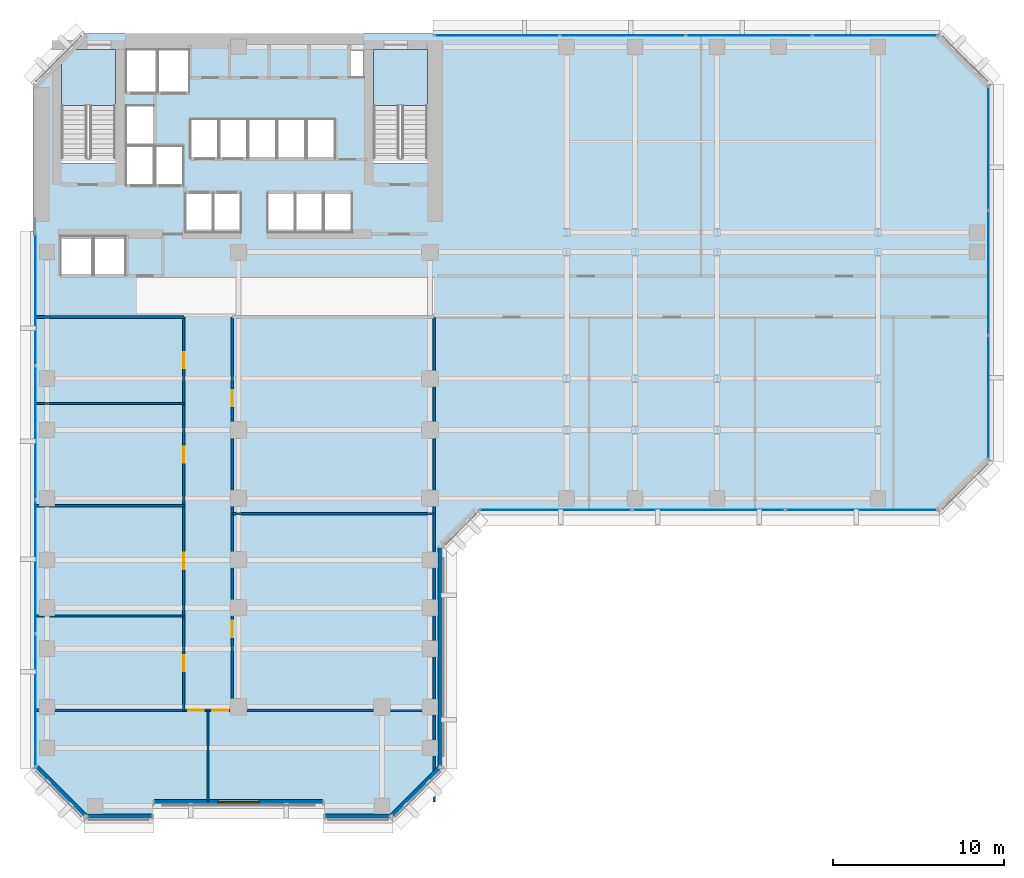
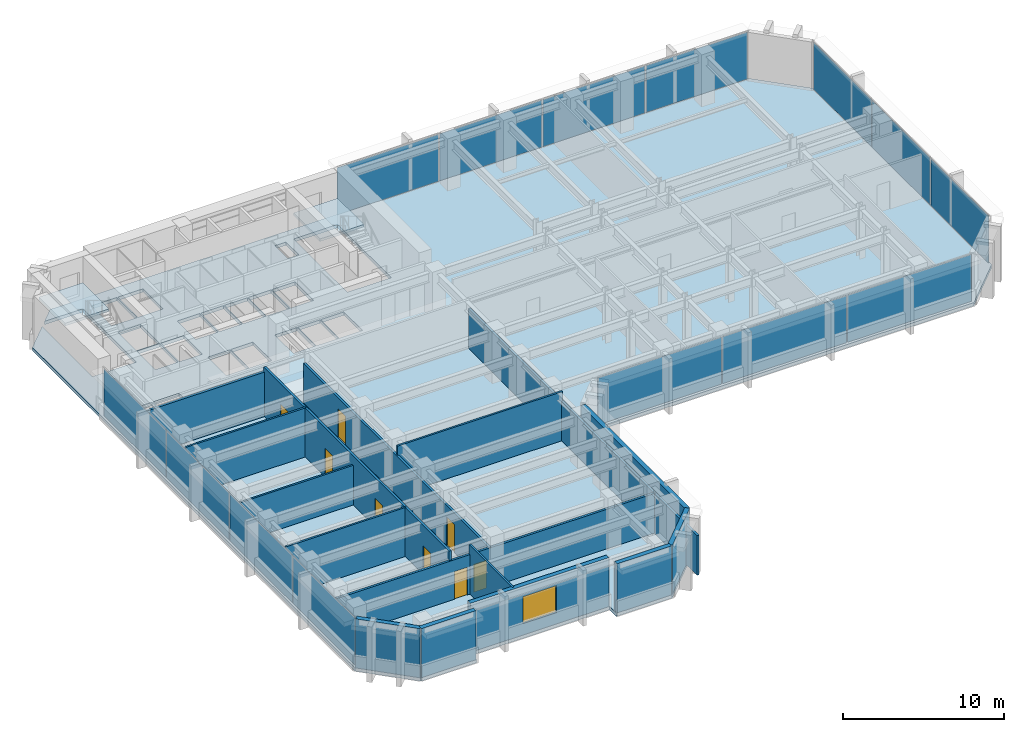
# One storey, part 6 of 13: 16 walls, 14 plates, 8 doors, 3 slabs, 1 window, 9 openings, 6 elements without a shape of their own.
"""IFC4 building model written with IfcOpenShell, lengths in metres."""

from ifc_helpers import new_model, si_unit, direction, frame, frame_2d, origin, origin_2d, place, context, subcontext, project, spatial, polyline, rectangle, outline, extrude, material, layer, layer_set, type_object, element, fill, aggregate, save


model = new_model("IFC4")

# Units and contexts
model_context = context("Model", 3, precision=1e-05, world=origin(), true_north=direction((0.0, 1.0)))
body_context = subcontext(model_context, "Body", "Model", "MODEL_VIEW")
ifc_project = project(units=[si_unit("LENGTHUNIT", "METRE"), si_unit("AREAUNIT", "SQUARE_METRE"), si_unit("VOLUMEUNIT", "CUBIC_METRE"), si_unit("PLANEANGLEUNIT", "RADIAN"), si_unit("MASSUNIT", "GRAM", prefix="KILO")], contexts=[model_context])

# Site, building, storey
site_placement = place(None, origin())
site = spatial("IfcSite", under=ifc_project, at=site_placement, CompositionType="ELEMENT")
building_placement = place(site_placement, origin())
building = spatial("IfcBuilding", under=site, at=building_placement, Name="Kefirva Bronze Tower", CompositionType="ELEMENT")
storey_placement = place(building_placement, frame((0.0, 0.0, 102.6298828125)))
storey = spatial("IfcBuildingStorey", under=building, at=storey_placement, Name="L24", CompositionType="ELEMENT", Elevation=102.6298828125)

# Stair, slab
ifc_material_1 = material(Name="Concrete C40/50", Category="concrete")
stair_type = type_object("IfcStairType", Name="RC Dogleg Protected Stair 24R", PredefinedType="HALF_TURN_STAIR", material=ifc_material_1)
stair_1_placement = place(storey_placement, origin())
stair_1 = element("IfcStair", 1, at=stair_1_placement, inside=storey, type_object=stair_type, Name="L24 Protected Exit Stair 1", PredefinedType="HALF_TURN_STAIR")
ifc_layer_1 = layer(ifc_material_1, 0.199951171875, Name="Concrete C40/50")
ifc_layer_set_1 = layer_set([ifc_layer_1], Name="Concrete C40/50")
slab_type_1 = type_object("IfcSlabType", Name="RC Stair Landing Slab 200mm", PredefinedType="LANDING", material=ifc_layer_set_1)
slab_1_placement = place(storey_placement, frame((0.0, 0.0, 1.780029296875)))
slab_1 = element("IfcSlab", 2, at=slab_1_placement, type_object=slab_type_1, Name="ST-1 landing 1", PredefinedType="LANDING", context=body_context, shape_type="SweptSolid", body=[
    extrude(outline(polyline([(4.800048828125, 41.780029296875), (4.800048828125, 45.050048828125), (1.64990234375, 45.050048828125), (1.64990234375, 41.780029296875), (4.800048828125, 41.780029296875)])), origin(), (0.0, 0.0, 1.0), 0.2001953125),
])
aggregate(stair_1, [slab_1])

stair_2_placement = place(storey_placement, origin())
stair_2 = element("IfcStair", 3, at=stair_2_placement, inside=storey, type_object=stair_type, Name="L24 Protected Exit Stair 2", PredefinedType="HALF_TURN_STAIR")
slab_2_placement = place(storey_placement, frame((0.0, 0.0, 1.780029296875)))
slab_2 = element("IfcSlab", 4, at=slab_2_placement, type_object=slab_type_1, Name="ST-2 landing 1", PredefinedType="LANDING", context=body_context, shape_type="SweptSolid", body=[
    extrude(outline(polyline([(23.050048828125, 41.780029296875), (23.050048828125, 45.050048828125), (19.89990234375, 45.050048828125), (19.89990234375, 41.780029296875), (23.050048828125, 41.780029296875)])), origin(), (0.0, 0.0, 1.0), 0.2001953125),
])
aggregate(stair_2, [slab_2])

# Slab
ifc_layer_2 = layer(ifc_material_1, 0.25, Name="Concrete C40/50")
ifc_layer_set_2 = layer_set([ifc_layer_2], Name="Concrete C40/50")
slab_type_2 = type_object("IfcSlabType", Name="RC Tower Floor Slab 250mm", PredefinedType="FLOOR", material=ifc_layer_set_2)
slab_3_placement = place(storey_placement, frame((0.0, 0.0, -0.25)))
element("IfcSlab", 5, at=slab_3_placement, inside=storey, type_object=slab_type_2, Name="L24 Structural Floor Slab", PredefinedType="FLOOR", context=body_context, shape_type="SweptSolid", body=[
    extrude(outline(polyline([(0.0, 3.0), (0.0, 43.0), (1.64990234375, 44.64990234375), (1.64990234375, 38.39990234375), (4.800048828125, 38.39990234375), (4.800048828125, 45.050048828125), (2.050048828125, 45.050048828125), (3.0, 46.0), (53.0, 46.0), (56.0, 43.0), (56.0, 21.0), (53.0, 18.0), (26.0, 18.0), (24.0, 16.0), (24.0, 3.0), (21.0, 0.0), (17.0, 0.0), (17.0, 0.85009765625), (7.0, 0.85009765625), (7.0, 0.0), (3.0, 0.0), (0.0, 3.0)]), holes=[polyline([(19.89990234375, 38.39990234375), (23.050048828125, 38.39990234375), (23.050048828125, 45.050048828125), (19.89990234375, 45.050048828125), (19.89990234375, 38.39990234375)]), polyline([(18.52001953125, 43.419921875), (19.320068359375, 43.419921875), (19.320068359375, 45.0), (18.52001953125, 45.0), (18.52001953125, 43.419921875)]), polyline([(17.0, 34.35009765625), (18.64990234375, 34.35009765625), (18.64990234375, 36.64990234375), (17.0, 36.64990234375), (17.0, 34.35009765625)]), polyline([(17.64990234375, 38.679931640625), (17.64990234375, 40.97998046875), (16.0, 40.97998046875), (16.0, 38.679931640625), (17.64990234375, 38.679931640625)]), polyline([(16.949951171875, 34.35009765625), (16.949951171875, 36.64990234375), (15.35009765625, 36.64990234375), (15.35009765625, 34.35009765625), (16.949951171875, 34.35009765625)]), polyline([(15.929931640625, 38.679931640625), (15.929931640625, 40.97998046875), (14.300048828125, 40.97998046875), (14.300048828125, 38.679931640625), (15.929931640625, 38.679931640625)]), polyline([(15.300048828125, 34.35009765625), (15.300048828125, 36.64990234375), (13.699951171875, 36.64990234375), (13.699951171875, 34.35009765625), (15.300048828125, 34.35009765625)]), polyline([(14.22998046875, 38.679931640625), (14.22998046875, 40.97998046875), (12.60009765625, 40.97998046875), (12.60009765625, 38.679931640625), (14.22998046875, 38.679931640625)]), polyline([(10.89990234375, 38.679931640625), (12.530029296875, 38.679931640625), (12.530029296875, 40.97998046875), (10.89990234375, 40.97998046875), (10.89990234375, 38.679931640625)]), polyline([(12.139892578125, 34.35009765625), (12.139892578125, 36.64990234375), (10.5400390625, 36.64990234375), (10.5400390625, 34.35009765625), (12.139892578125, 34.35009765625)]), polyline([(10.830078125, 38.679931640625), (10.830078125, 40.97998046875), (9.199951171875, 40.97998046875), (9.199951171875, 38.679931640625), (10.830078125, 38.679931640625)]), polyline([(10.5, 34.35009765625), (10.5, 36.64990234375), (8.89990234375, 36.64990234375), (8.89990234375, 34.35009765625), (10.5, 34.35009765625)]), polyline([(7.300048828125, 42.550048828125), (9.1201171875, 42.550048828125), (9.1201171875, 45.050048828125), (7.300048828125, 45.050048828125), (7.300048828125, 42.550048828125)]), polyline([(7.139892578125, 37.10009765625), (8.780029296875, 37.10009765625), (8.780029296875, 39.39990234375), (7.139892578125, 39.39990234375), (7.139892578125, 37.10009765625)]), polyline([(5.419921875, 42.550048828125), (7.239990234375, 42.550048828125), (7.239990234375, 45.050048828125), (5.419921875, 45.050048828125), (5.419921875, 42.550048828125)]), polyline([(7.06005859375, 39.47998046875), (7.06005859375, 41.780029296875), (5.419921875, 41.780029296875), (5.419921875, 39.47998046875), (7.06005859375, 39.47998046875)]), polyline([(5.419921875, 37.10009765625), (7.06005859375, 37.10009765625), (7.06005859375, 39.39990234375), (5.419921875, 39.39990234375), (5.419921875, 37.10009765625)]), polyline([(5.39990234375, 31.85009765625), (5.39990234375, 34.14990234375), (3.550048828125, 34.14990234375), (3.550048828125, 31.85009765625), (5.39990234375, 31.85009765625)]), polyline([(3.449951171875, 31.85009765625), (3.449951171875, 34.14990234375), (1.60009765625, 34.14990234375), (1.60009765625, 31.85009765625), (3.449951171875, 31.85009765625)])]), origin(), (0.0, 0.0, 1.0), 0.25),
])

# Curtain wall, plates
ifc_material_2 = material(Name="Bronze anodised aluminium", Category="aluminium")
ifc_layer_3 = layer(ifc_material_2, 0.199951171875, Name="Bronze anodised aluminium")
ifc_layer_set_3 = layer_set([ifc_layer_3], Name="Bronze anodised aluminium")
curtain_wall_type = type_object("IfcCurtainWallType", Name="Unitised Bronze Ribbon Curtain Wall Zone 1", PredefinedType="USERDEFINED", material=ifc_layer_set_3)
curtain_wall_1_placement = place(storey_placement, origin())
curtain_wall_1 = element("IfcCurtainWall", 6, at=curtain_wall_1_placement, inside=storey, type_object=curtain_wall_type, Name="L24 Curtain Wall 1", ObjectType="UNITISED CURTAIN WALL", PredefinedType="USERDEFINED")
ifc_material_3 = material(Name="Laminated low-E double glazing", Category="glass")
ifc_layer_4 = layer(ifc_material_3, 0.031982421875, Name="Laminated low-E double glazing")
ifc_layer_set_4 = layer_set([ifc_layer_4], Name="Laminated low-E double glazing")
plate_type = type_object("IfcPlateType", Name="Solar-Control Low-E Vision Panel 32mm", PredefinedType="CURTAIN_PANEL", material=ifc_layer_set_4)
plate_1_placement = place(storey_placement, frame((30.555419921875, 18.1201171875, 0.0751953125), z_axis=(0.0, 0.0, 1.0), x_axis=(1.0, 0.0, 0.0)))
plate_1 = element("IfcPlate", 7, at=plate_1_placement, type_object=plate_type, Name="CW-01 panel 1.1", PredefinedType="CURTAIN_PANEL", context=body_context, shape_type="SweptSolid", body=[
    extrude(rectangle(XDim=8.850830078125, YDim=0.031982421875, at=origin_2d()), origin(), (0.0, 0.0, 1.0), 3.56005859375),
])
plate_2_placement = place(storey_placement, frame((39.5, 18.1201171875, 0.0751953125), z_axis=(0.0, 0.0, 1.0), x_axis=(1.0, 0.0, 0.0)))
plate_2 = element("IfcPlate", 8, at=plate_2_placement, type_object=plate_type, Name="CW-01 panel 2.1", PredefinedType="CURTAIN_PANEL", context=body_context, shape_type="SweptSolid", body=[
    extrude(rectangle(XDim=8.888427734375, YDim=0.031982421875, at=origin_2d()), origin(), (0.0, 0.0, 1.0), 3.56005859375),
])
plate_3_placement = place(storey_placement, frame((48.444580078125, 18.1201171875, 0.0751953125), z_axis=(0.0, 0.0, 1.0), x_axis=(1.0, 0.0, 0.0)))
plate_3 = element("IfcPlate", 9, at=plate_3_placement, type_object=plate_type, Name="CW-01 panel 3.1", PredefinedType="CURTAIN_PANEL", context=body_context, shape_type="SweptSolid", body=[
    extrude(rectangle(XDim=8.850830078125, YDim=0.031982421875, at=origin_2d()), origin(), (0.0, 0.0, 1.0), 3.56005859375),
])
aggregate(curtain_wall_1, [plate_1, plate_2, plate_3])

curtain_wall_2_placement = place(storey_placement, origin())
curtain_wall_2 = element("IfcCurtainWall", 10, at=curtain_wall_2_placement, inside=storey, type_object=curtain_wall_type, Name="L24 Curtain Wall 2", ObjectType="UNITISED CURTAIN WALL", PredefinedType="USERDEFINED")
plate_4_placement = place(storey_placement, frame((55.8798828125, 24.72216796875, 0.0751953125), z_axis=(0.0, 0.0, 1.0), x_axis=(0.0, 1.0, 0.0)))
plate_4 = element("IfcPlate", 11, at=plate_4_placement, type_object=plate_type, Name="CW-01 panel 1.1", PredefinedType="CURTAIN_PANEL", context=body_context, shape_type="SweptSolid", body=[
    extrude(rectangle(XDim=7.18408203125, YDim=0.031982421875, at=origin_2d()), origin(), (0.0, 0.0, 1.0), 3.56005859375),
])
plate_5_placement = place(storey_placement, frame((55.8798828125, 32.0, 0.0751953125), z_axis=(0.0, 0.0, 1.0), x_axis=(0.0, 1.0, 0.0)))
plate_5 = element("IfcPlate", 12, at=plate_5_placement, type_object=plate_type, Name="CW-01 panel 2.1", PredefinedType="CURTAIN_PANEL", context=body_context, shape_type="SweptSolid", body=[
    extrude(rectangle(XDim=7.2216796875, YDim=0.031982421875, at=origin_2d()), origin(), (0.0, 0.0, 1.0), 3.56005859375),
])
plate_6_placement = place(storey_placement, frame((55.8798828125, 39.27783203125, 0.0751953125), z_axis=(0.0, 0.0, 1.0), x_axis=(0.0, 1.0, 0.0)))
plate_6 = element("IfcPlate", 13, at=plate_6_placement, type_object=plate_type, Name="CW-01 panel 3.1", PredefinedType="CURTAIN_PANEL", context=body_context, shape_type="SweptSolid", body=[
    extrude(rectangle(XDim=7.18408203125, YDim=0.031982421875, at=origin_2d()), origin(), (0.0, 0.0, 1.0), 3.56005859375),
])
aggregate(curtain_wall_2, [plate_4, plate_5, plate_6])

curtain_wall_3_placement = place(storey_placement, origin())
curtain_wall_3 = element("IfcCurtainWall", 14, at=curtain_wall_3_placement, inside=storey, type_object=curtain_wall_type, Name="L24 Curtain Wall 3", ObjectType="UNITISED CURTAIN WALL", PredefinedType="USERDEFINED")
plate_7_placement = place(storey_placement, frame((49.233642578125, 45.8798828125, 0.0751953125), z_axis=(0.0, 0.0, 1.0), x_axis=(-1.0, 0.0, 0.0)))
plate_7 = element("IfcPlate", 15, at=plate_7_placement, type_object=plate_type, Name="CW-01 panel 1.1", PredefinedType="CURTAIN_PANEL", context=body_context, shape_type="SweptSolid", body=[
    extrude(rectangle(XDim=7.2724609375, YDim=0.031982421875, at=origin_2d()), origin(), (0.0, 0.0, 1.0), 3.56005859375),
])
plate_8_placement = place(storey_placement, frame((41.867431640625, 45.8798828125, 0.0751953125), z_axis=(0.0, 0.0, 1.0), x_axis=(-1.0, 0.0, 0.0)))
plate_8 = element("IfcPlate", 16, at=plate_8_placement, type_object=plate_type, Name="CW-01 panel 2.1", PredefinedType="CURTAIN_PANEL", context=body_context, shape_type="SweptSolid", body=[
    extrude(rectangle(XDim=7.31005859375, YDim=0.031982421875, at=origin_2d()), origin(), (0.0, 0.0, 1.0), 3.56005859375),
])
plate_9_placement = place(storey_placement, frame((34.482421875, 45.8798828125, 0.0751953125), z_axis=(0.0, 0.0, 1.0), x_axis=(-1.0, 0.0, 0.0)))
plate_9 = element("IfcPlate", 17, at=plate_9_placement, type_object=plate_type, Name="CW-01 panel 3.1", PredefinedType="CURTAIN_PANEL", context=body_context, shape_type="SweptSolid", body=[
    extrude(rectangle(XDim=7.31005859375, YDim=0.031982421875, at=origin_2d()), origin(), (0.0, 0.0, 1.0), 3.56005859375),
])
plate_10_placement = place(storey_placement, frame((27.1162109375, 45.8798828125, 0.0751953125), z_axis=(0.0, 0.0, 1.0), x_axis=(-1.0, 0.0, 0.0)))
plate_10 = element("IfcPlate", 18, at=plate_10_placement, type_object=plate_type, Name="CW-01 panel 4.1", PredefinedType="CURTAIN_PANEL", context=body_context, shape_type="SweptSolid", body=[
    extrude(rectangle(XDim=7.2724609375, YDim=0.031982421875, at=origin_2d()), origin(), (0.0, 0.0, 1.0), 3.56005859375),
])
aggregate(curtain_wall_3, [plate_7, plate_8, plate_9, plate_10])

curtain_wall_4_placement = place(storey_placement, origin())
curtain_wall_4 = element("IfcCurtainWall", 19, at=curtain_wall_4_placement, inside=storey, type_object=curtain_wall_type, Name="L24 Curtain Wall 4", ObjectType="UNITISED CURTAIN WALL", PredefinedType="USERDEFINED")
plate_11_placement = place(storey_placement, frame((0.1201171875, 30.458740234375, 0.0751953125), z_axis=(0.0, 0.0, 1.0), x_axis=(0.0, -1.0, 0.0)))
plate_11 = element("IfcPlate", 20, at=plate_11_placement, type_object=plate_type, Name="CW-01 panel 1.1", PredefinedType="CURTAIN_PANEL", context=body_context, shape_type="SweptSolid", body=[
    extrude(rectangle(XDim=7.722412109375, YDim=0.031982421875, at=origin_2d()), origin(), (0.0, 0.0, 1.0), 3.56005859375),
])
plate_12_placement = place(storey_placement, frame((0.1201171875, 22.642578125, 0.0751953125), z_axis=(0.0, 0.0, 1.0), x_axis=(0.0, -1.0, 0.0)))
plate_12 = element("IfcPlate", 21, at=plate_12_placement, type_object=plate_type, Name="CW-01 panel 2.1", PredefinedType="CURTAIN_PANEL", context=body_context, shape_type="SweptSolid", body=[
    extrude(rectangle(XDim=7.760009765625, YDim=0.031982421875, at=origin_2d()), origin(), (0.0, 0.0, 1.0), 3.56005859375),
])
plate_13_placement = place(storey_placement, frame((0.1201171875, 14.8076171875, 0.0751953125), z_axis=(0.0, 0.0, 1.0), x_axis=(0.0, -1.0, 0.0)))
plate_13 = element("IfcPlate", 22, at=plate_13_placement, type_object=plate_type, Name="CW-01 panel 3.1", PredefinedType="CURTAIN_PANEL", context=body_context, shape_type="SweptSolid", body=[
    extrude(rectangle(XDim=7.760009765625, YDim=0.031982421875, at=origin_2d()), origin(), (0.0, 0.0, 1.0), 3.56005859375),
])
plate_14_placement = place(storey_placement, frame((0.1201171875, 6.9912109375, 0.0751953125), z_axis=(0.0, 0.0, 1.0), x_axis=(0.0, -1.0, 0.0)))
plate_14 = element("IfcPlate", 23, at=plate_14_placement, type_object=plate_type, Name="CW-01 panel 4.1", PredefinedType="CURTAIN_PANEL", context=body_context, shape_type="SweptSolid", body=[
    extrude(rectangle(XDim=7.722412109375, YDim=0.031982421875, at=origin_2d()), origin(), (0.0, 0.0, 1.0), 3.56005859375),
])
aggregate(curtain_wall_4, [plate_11, plate_12, plate_13, plate_14])

# Walls
ifc_material_4 = material(Name="Gypsum acoustic partition")
ifc_layer_5 = layer(ifc_material_4, 0.1298828125, Name="Gypsum acoustic partition")
ifc_layer_set_5 = layer_set([ifc_layer_5], Name="Gypsum acoustic partition")
wall_type_1 = type_object("IfcWallType", Name="Acoustic Office Partition 130mm", PredefinedType="PARTITIONING", material=ifc_layer_set_5)
wall_1_placement = place(storey_placement, frame((10.219970703125, 1.0400390625, 0.0), z_axis=(0.0, 0.0, 1.0), x_axis=(0.0, 1.0, 0.0)))
element("IfcWall", 24, at=wall_1_placement, inside=storey, type_object=wall_type_1, Name="L24 Partition W-L24-CAPDV", PredefinedType="PARTITIONING", context=body_context, shape_type="SweptSolid", body=[
    extrude(rectangle(XDim=5.35986328125, YDim=0.1298828125, at=frame_2d((2.679931640625, 0.0))), origin(), (0.0, 0.0, 1.0), 3.710205078125),
])
wall_2_placement = place(storey_placement, frame((0.18994140625, 11.919921875, 0.0), z_axis=(0.0, 0.0, 1.0), x_axis=(1.0, 0.0, 0.0)))
element("IfcWall", 25, at=wall_2_placement, inside=storey, type_object=wall_type_1, Name="L24 Partition W-L24-SWD1", PredefinedType="PARTITIONING", context=body_context, shape_type="SweptSolid", body=[
    extrude(rectangle(XDim=8.610107421875, YDim=0.1298828125, at=frame_2d((4.30517578125, 0.0))), origin(), (0.0, 0.0, 1.0), 3.710205078125),
])
wall_3_placement = place(storey_placement, frame((0.18994140625, 18.360107421875, 0.0), z_axis=(0.0, 0.0, 1.0), x_axis=(1.0, 0.0, 0.0)))
element("IfcWall", 26, at=wall_3_placement, inside=storey, type_object=wall_type_1, Name="L24 Partition W-L24-SWD2", PredefinedType="PARTITIONING", context=body_context, shape_type="SweptSolid", body=[
    extrude(rectangle(XDim=8.610107421875, YDim=0.1298828125, at=frame_2d((4.30517578125, 0.0))), origin(), (0.0, 0.0, 1.0), 2.9951171875),
])
wall_4_placement = place(storey_placement, frame((0.18994140625, 24.340087890625, 0.0), z_axis=(0.0, 0.0, 1.0), x_axis=(1.0, 0.0, 0.0)))
element("IfcWall", 27, at=wall_4_placement, inside=storey, type_object=wall_type_1, Name="L24 Partition W-L24-SWD3", PredefinedType="PARTITIONING", context=body_context, shape_type="SweptSolid", body=[
    extrude(rectangle(XDim=8.610107421875, YDim=0.1298828125, at=frame_2d((4.30517578125, 0.0))), origin(), (0.0, 0.0, 1.0), 3.710205078125),
])
wall_5_placement = place(storey_placement, frame((11.639892578125, 17.89990234375, 0.0), z_axis=(0.0, 0.0, 1.0), x_axis=(1.0, 0.0, 0.0)))
element("IfcWall", 28, at=wall_5_placement, inside=storey, type_object=wall_type_1, Name="L24 Partition W-L24-SED1", PredefinedType="PARTITIONING", context=body_context, shape_type="SweptSolid", body=[
    extrude(rectangle(XDim=11.81005859375, YDim=0.1298828125, at=frame_2d((5.905029296875, 0.0))), origin(), (0.0, 0.0, 1.0), 3.710205078125),
])
ifc_material_5 = material(Name="Precast concrete C40/50", Category="concrete")
ifc_layer_6 = layer(ifc_material_5, 0.320068359375, Name="Precast concrete C40/50")
ifc_layer_set_6 = layer_set([ifc_layer_6], Name="Precast concrete C40/50")
wall_type_2 = type_object("IfcWallType", Name="Precast Insulated Exterior Wall 320mm", PredefinedType="SOLIDWALL", material=ifc_layer_set_6)
wall_6_placement = place(storey_placement, frame((3.054931640625, 0.159912109375, 0.0), z_axis=(0.0, 0.0, 1.0), x_axis=(1.0, 0.0, 0.0)))
element("IfcWall", 29, at=wall_6_placement, inside=storey, type_object=wall_type_2, Name="L24 Exterior Facade Wall 1", PredefinedType="SOLIDWALL", context=body_context, shape_type="SweptSolid", body=[
    extrude(rectangle(XDim=3.89013671875, YDim=0.320068359375, at=frame_2d((1.945068359375, 0.0))), origin(), (0.0, 0.0, 1.0), 3.710205078125),
])

# Wall, opening, window
wall_7_placement = place(storey_placement, frame((7.054931640625, 1.010009765625, 0.0), z_axis=(0.0, 0.0, 1.0), x_axis=(1.0, 0.0, 0.0)))
wall_7 = element("IfcWall", 30, at=wall_7_placement, inside=storey, type_object=wall_type_2, Name="L24 Exterior Facade Wall 2", PredefinedType="SOLIDWALL", context=body_context, shape_type="SweptSolid", body=[
    extrude(rectangle(XDim=9.89013671875, YDim=0.320068359375, at=frame_2d((4.945068359375, 0.0))), origin(), (0.0, 0.0, 1.0), 3.710205078125),
])
opening_1_placement = place(wall_7_placement, frame((3.7451171875, 0.0, 0.85009765625)))
opening_1 = element("IfcOpeningElement", 31, at=opening_1_placement, cuts=wall_7, Name="Opening WN-01", PredefinedType="OPENING", context=body_context, shape_type="SweptSolid", body=[
    extrude(rectangle(XDim=2.39990234375, YDim=2.050048828125, at=frame_2d((1.199951171875, 1.02490234375))), frame((0.0, 0.169921875, 0.0), z_axis=(0.0, -1.0, 0.0), x_axis=(1.0, 0.0, 0.0)), (0.0, 0.0, 1.0), 0.340087890625),
])
window_type = type_object("IfcWindowType", Name="Streamline Ribbon Window 2400x2050", PartitioningType="SINGLE_PANEL", PredefinedType="WINDOW", material=ifc_material_3)
window_placement = place(opening_1_placement, origin())
window = element("IfcWindow", 32, at=window_placement, inside=storey, type_object=window_type, Name="L24 Ribbon Window 2", OverallHeight=2.050048828125, OverallWidth=2.39990234375, PartitioningType="SINGLE_PANEL", PredefinedType="WINDOW", context=body_context, shape_type="SweptSolid", body=[
    extrude(rectangle(XDim=2.39990234375, YDim=2.050048828125, at=frame_2d((1.199951171875, 1.02490234375))), frame((0.0, 0.030029296875, 0.0), z_axis=(0.0, -1.0, 0.0), x_axis=(1.0, 0.0, 0.0)), (0.0, 0.0, 1.0), 0.06005859375),
])
fill(opening_1, window)

# Walls
wall_8_placement = place(storey_placement, frame((17.054931640625, 0.159912109375, 0.0), z_axis=(0.0, 0.0, 1.0), x_axis=(1.0, 0.0, 0.0)))
element("IfcWall", 33, at=wall_8_placement, inside=storey, type_object=wall_type_2, Name="L24 Exterior Facade Wall 3", PredefinedType="SOLIDWALL", context=body_context, shape_type="SweptSolid", body=[
    extrude(rectangle(XDim=3.89013671875, YDim=0.320068359375, at=frame_2d((1.945068359375, 0.0))), origin(), (0.0, 0.0, 1.0), 3.710205078125),
])
wall_9_placement = place(storey_placement, frame((20.92578125, 0.152099609375, 0.0), z_axis=(0.0, 0.0, 1.0), x_axis=(0.707106781187, 0.707106781187, 0.0)))
element("IfcWall", 34, at=wall_9_placement, inside=storey, type_object=wall_type_2, Name="L24 Exterior Facade Wall 4", PredefinedType="SOLIDWALL", context=body_context, shape_type="SweptSolid", body=[
    extrude(rectangle(XDim=4.132568359375, YDim=0.320068359375, at=frame_2d((2.06640625, 0.0))), origin(), (0.0, 0.0, 1.0), 3.710205078125),
])
wall_10_placement = place(storey_placement, frame((23.840087890625, 3.054931640625, 0.0), z_axis=(0.0, 0.0, 1.0), x_axis=(0.0, 1.0, 0.0)))
element("IfcWall", 35, at=wall_10_placement, inside=storey, type_object=wall_type_2, Name="L24 Exterior Facade Wall 5", PredefinedType="SOLIDWALL", context=body_context, shape_type="SweptSolid", body=[
    extrude(rectangle(XDim=12.89013671875, YDim=0.320068359375, at=frame_2d((6.445068359375, 0.0))), origin(), (0.0, 0.0, 1.0), 3.710205078125),
])
wall_11_placement = place(storey_placement, frame((0.152099609375, 3.07421875, 0.0), z_axis=(0.0, 0.0, 1.0), x_axis=(0.707106781187, -0.707106781187, 0.0)))
element("IfcWall", 36, at=wall_11_placement, inside=storey, type_object=wall_type_2, Name="L24 Exterior Facade Wall 10", PredefinedType="SOLIDWALL", context=body_context, shape_type="SweptSolid", body=[
    extrude(rectangle(XDim=4.132568359375, YDim=0.320068359375, at=frame_2d((2.06640625, 0.0))), origin(), (0.0, 0.0, 1.0), 3.710205078125),
])

# Wall, openings, doors
ifc_layer_7 = layer(ifc_material_4, 0.159912109375, Name="Gypsum acoustic partition")
ifc_layer_set_7 = layer_set([ifc_layer_7], Name="Gypsum acoustic partition")
wall_type_3 = type_object("IfcWallType", Name="Protected Corridor Partition 160mm", PredefinedType="PARTITIONING", material=ifc_layer_set_7)
wall_12_placement = place(storey_placement, frame((8.800048828125, 6.39990234375, 0.0), z_axis=(0.0, 0.0, 1.0), x_axis=(0.0, 1.0, 0.0)))
wall_12 = element("IfcWall", 37, at=wall_12_placement, inside=storey, type_object=wall_type_3, Name="L24 Partition W-L24-SWCORW", PredefinedType="PARTITIONING", context=body_context, shape_type="SweptSolid", body=[
    extrude(rectangle(XDim=23.0, YDim=0.159912109375, at=frame_2d((11.5, 0.0))), origin(), (0.0, 0.0, 1.0), 3.710205078125),
])
opening_2_placement = place(wall_12_placement, frame((3.23486328125, 0.0, 0.0), z_axis=(0.0, 0.0, 1.0), x_axis=(-1.0, 0.0, 0.0)))
opening_2 = element("IfcOpeningElement", 38, at=opening_2_placement, cuts=wall_12, Name="Opening L24-D-SW1", PredefinedType="OPENING", context=body_context, shape_type="SweptSolid", body=[
    extrude(rectangle(XDim=0.949951171875, YDim=2.14990234375, at=frame_2d((0.47509765625, 1.074951171875))), frame((0.0, 0.08984375, 0.0), z_axis=(0.0, -1.0, 0.0), x_axis=(1.0, 0.0, 0.0)), (0.0, 0.0, 1.0), 0.179931640625),
])
opening_3_placement = place(wall_12_placement, frame((9.21484375, 0.0, 0.0), z_axis=(0.0, 0.0, 1.0), x_axis=(-1.0, 0.0, 0.0)))
opening_3 = element("IfcOpeningElement", 39, at=opening_3_placement, cuts=wall_12, Name="Opening L24-D-SW2", PredefinedType="OPENING", context=body_context, shape_type="SweptSolid", body=[
    extrude(rectangle(XDim=0.949951171875, YDim=2.14990234375, at=frame_2d((0.47509765625, 1.074951171875))), frame((0.0, 0.08984375, 0.0), z_axis=(0.0, -1.0, 0.0), x_axis=(1.0, 0.0, 0.0)), (0.0, 0.0, 1.0), 0.179931640625),
])
opening_4_placement = place(wall_12_placement, frame((15.425048828125, 0.0, 0.0), z_axis=(0.0, 0.0, 1.0), x_axis=(-1.0, 0.0, 0.0)))
opening_4 = element("IfcOpeningElement", 40, at=opening_4_placement, cuts=wall_12, Name="Opening L24-D-SW3", PredefinedType="OPENING", context=body_context, shape_type="SweptSolid", body=[
    extrude(rectangle(XDim=0.949951171875, YDim=2.14990234375, at=frame_2d((0.47509765625, 1.074951171875))), frame((0.0, 0.08984375, 0.0), z_axis=(0.0, -1.0, 0.0), x_axis=(1.0, 0.0, 0.0)), (0.0, 0.0, 1.0), 0.179931640625),
])
opening_5_placement = place(wall_12_placement, frame((20.945068359375, 0.0, 0.0), z_axis=(0.0, 0.0, 1.0), x_axis=(-1.0, 0.0, 0.0)))
opening_5 = element("IfcOpeningElement", 41, at=opening_5_placement, cuts=wall_12, Name="Opening L24-D-SW4", PredefinedType="OPENING", context=body_context, shape_type="SweptSolid", body=[
    extrude(rectangle(XDim=0.949951171875, YDim=2.14990234375, at=frame_2d((0.47509765625, 1.074951171875))), frame((0.0, 0.08984375, 0.0), z_axis=(0.0, -1.0, 0.0), x_axis=(1.0, 0.0, 0.0)), (0.0, 0.0, 1.0), 0.179931640625),
])
ifc_material_6 = material(Name="Acoustic hardwood oak", Category="wood")
door_type_1 = type_object("IfcDoorType", Name="Office & Meeting Room Door 950x2150", OperationType="NOTDEFINED", PredefinedType="DOOR", material=ifc_material_6)
door_1_placement = place(opening_2_placement, origin())
door_1 = element("IfcDoor", 42, at=door_1_placement, inside=storey, type_object=door_type_1, Name="Door L24-D-SW1", OperationType="SINGLE_SWING_RIGHT", OverallHeight=2.14990234375, OverallWidth=0.949951171875, PredefinedType="DOOR", context=body_context, shape_type="SweptSolid", body=[
    extrude(rectangle(XDim=0.949951171875, YDim=2.14990234375, at=frame_2d((0.47509765625, 1.074951171875))), frame((0.0, 0.02490234375, 0.0), z_axis=(0.0, -1.0, 0.0), x_axis=(1.0, 0.0, 0.0)), (0.0, 0.0, 1.0), 0.050048828125),
])
fill(opening_2, door_1)
door_2_placement = place(opening_3_placement, origin())
door_2 = element("IfcDoor", 43, at=door_2_placement, inside=storey, type_object=door_type_1, Name="Door L24-D-SW2", OperationType="SINGLE_SWING_LEFT", OverallHeight=2.14990234375, OverallWidth=0.949951171875, PredefinedType="DOOR", context=body_context, shape_type="SweptSolid", body=[
    extrude(rectangle(XDim=0.949951171875, YDim=2.14990234375, at=frame_2d((0.47509765625, 1.074951171875))), frame((0.0, 0.02490234375, 0.0), z_axis=(0.0, -1.0, 0.0), x_axis=(1.0, 0.0, 0.0)), (0.0, 0.0, 1.0), 0.050048828125),
])
fill(opening_3, door_2)
door_3_placement = place(opening_4_placement, origin())
door_3 = element("IfcDoor", 44, at=door_3_placement, inside=storey, type_object=door_type_1, Name="Door L24-D-SW3", OperationType="SINGLE_SWING_RIGHT", OverallHeight=2.14990234375, OverallWidth=0.949951171875, PredefinedType="DOOR", context=body_context, shape_type="SweptSolid", body=[
    extrude(rectangle(XDim=0.949951171875, YDim=2.14990234375, at=frame_2d((0.47509765625, 1.074951171875))), frame((0.0, 0.02490234375, 0.0), z_axis=(0.0, -1.0, 0.0), x_axis=(1.0, 0.0, 0.0)), (0.0, 0.0, 1.0), 0.050048828125),
])
fill(opening_4, door_3)
door_4_placement = place(opening_5_placement, origin())
door_4 = element("IfcDoor", 45, at=door_4_placement, inside=storey, type_object=door_type_1, Name="Door L24-D-SW4", OperationType="SINGLE_SWING_LEFT", OverallHeight=2.14990234375, OverallWidth=0.949951171875, PredefinedType="DOOR", context=body_context, shape_type="SweptSolid", body=[
    extrude(rectangle(XDim=0.949951171875, YDim=2.14990234375, at=frame_2d((0.47509765625, 1.074951171875))), frame((0.0, 0.02490234375, 0.0), z_axis=(0.0, -1.0, 0.0), x_axis=(1.0, 0.0, 0.0)), (0.0, 0.0, 1.0), 0.050048828125),
])
fill(opening_5, door_4)

wall_13_placement = place(storey_placement, frame((11.639892578125, 6.39990234375, 0.0), z_axis=(0.0, 0.0, 1.0), x_axis=(0.0, 1.0, 0.0)))
wall_13 = element("IfcWall", 46, at=wall_13_placement, inside=storey, type_object=wall_type_3, Name="L24 Partition W-L24-SECORE", PredefinedType="PARTITIONING", context=body_context, shape_type="SweptSolid", body=[
    extrude(rectangle(XDim=23.0, YDim=0.159912109375, at=frame_2d((11.5, 0.0))), origin(), (0.0, 0.0, 1.0), 2.9951171875),
])
opening_6_placement = place(wall_13_placement, frame((4.27490234375, 0.0, 0.0)))
opening_6 = element("IfcOpeningElement", 47, at=opening_6_placement, cuts=wall_13, Name="Opening L24-D-SE1", PredefinedType="OPENING", context=body_context, shape_type="SweptSolid", body=[
    extrude(rectangle(XDim=0.949951171875, YDim=2.14990234375, at=frame_2d((0.47509765625, 1.074951171875))), frame((0.0, 0.08984375, 0.0), z_axis=(0.0, -1.0, 0.0), x_axis=(1.0, 0.0, 0.0)), (0.0, 0.0, 1.0), 0.179931640625),
])
opening_7_placement = place(wall_13_placement, frame((17.77490234375, 0.0, 0.0)))
opening_7 = element("IfcOpeningElement", 48, at=opening_7_placement, cuts=wall_13, Name="Opening L24-D-SE2", PredefinedType="OPENING", context=body_context, shape_type="SweptSolid", body=[
    extrude(rectangle(XDim=0.949951171875, YDim=2.14990234375, at=frame_2d((0.47509765625, 1.074951171875))), frame((0.0, 0.08984375, 0.0), z_axis=(0.0, -1.0, 0.0), x_axis=(1.0, 0.0, 0.0)), (0.0, 0.0, 1.0), 0.179931640625),
])
door_5_placement = place(opening_6_placement, origin())
door_5 = element("IfcDoor", 49, at=door_5_placement, inside=storey, type_object=door_type_1, Name="Door L24-D-SE1", OperationType="SINGLE_SWING_RIGHT", OverallHeight=2.14990234375, OverallWidth=0.949951171875, PredefinedType="DOOR", context=body_context, shape_type="SweptSolid", body=[
    extrude(rectangle(XDim=0.949951171875, YDim=2.14990234375, at=frame_2d((0.47509765625, 1.074951171875))), frame((0.0, 0.02490234375, 0.0), z_axis=(0.0, -1.0, 0.0), x_axis=(1.0, 0.0, 0.0)), (0.0, 0.0, 1.0), 0.050048828125),
])
fill(opening_6, door_5)
door_6_placement = place(opening_7_placement, origin())
door_6 = element("IfcDoor", 50, at=door_6_placement, inside=storey, type_object=door_type_1, Name="Door L24-D-SE2", OperationType="SINGLE_SWING_LEFT", OverallHeight=2.14990234375, OverallWidth=0.949951171875, PredefinedType="DOOR", context=body_context, shape_type="SweptSolid", body=[
    extrude(rectangle(XDim=0.949951171875, YDim=2.14990234375, at=frame_2d((0.47509765625, 1.074951171875))), frame((0.0, 0.02490234375, 0.0), z_axis=(0.0, -1.0, 0.0), x_axis=(1.0, 0.0, 0.0)), (0.0, 0.0, 1.0), 0.050048828125),
])
fill(opening_7, door_6)

wall_14_placement = place(storey_placement, frame((0.18994140625, 6.39990234375, 0.0), z_axis=(0.0, 0.0, 1.0), x_axis=(1.0, 0.0, 0.0)))
wall_14 = element("IfcWall", 51, at=wall_14_placement, inside=storey, type_object=wall_type_3, Name="L24 Partition W-L24-SBEND", PredefinedType="PARTITIONING", context=body_context, shape_type="SweptSolid", body=[
    extrude(rectangle(XDim=23.260009765625, YDim=0.159912109375, at=frame_2d((11.6298828125, 0.0))), origin(), (0.0, 0.0, 1.0), 2.9951171875),
])
opening_8_placement = place(wall_14_placement, frame((8.860107421875, 0.0, 0.0)))
opening_8 = element("IfcOpeningElement", 52, at=opening_8_placement, cuts=wall_14, Name="Opening L24-D-SEND1", PredefinedType="OPENING", context=body_context, shape_type="SweptSolid", body=[
    extrude(rectangle(XDim=0.919921875, YDim=2.10009765625, at=frame_2d((0.4599609375, 1.050048828125))), frame((0.0, 0.08984375, 0.0), z_axis=(0.0, -1.0, 0.0), x_axis=(1.0, 0.0, 0.0)), (0.0, 0.0, 1.0), 0.179931640625),
])
opening_9_placement = place(wall_14_placement, frame((10.280029296875, 0.0, 0.0)))
opening_9 = element("IfcOpeningElement", 53, at=opening_9_placement, cuts=wall_14, Name="Opening L24-D-SEND2", PredefinedType="OPENING", context=body_context, shape_type="SweptSolid", body=[
    extrude(rectangle(XDim=0.919921875, YDim=2.10009765625, at=frame_2d((0.4599609375, 1.050048828125))), frame((0.0, 0.08984375, 0.0), z_axis=(0.0, -1.0, 0.0), x_axis=(1.0, 0.0, 0.0)), (0.0, 0.0, 1.0), 0.179931640625),
])
ifc_material_7 = material(Name="Moisture-resistant timber", Category="wood")
door_type_2 = type_object("IfcDoorType", Name="Accessible Sanitary & WC Door 920x2100", OperationType="NOTDEFINED", PredefinedType="DOOR", material=ifc_material_7)
door_7_placement = place(opening_8_placement, origin())
door_7 = element("IfcDoor", 54, at=door_7_placement, inside=storey, type_object=door_type_2, Name="Door L24-D-SEND1", OperationType="SINGLE_SWING_RIGHT", OverallHeight=2.10009765625, OverallWidth=0.919921875, PredefinedType="DOOR", context=body_context, shape_type="SweptSolid", body=[
    extrude(rectangle(XDim=0.919921875, YDim=2.10009765625, at=frame_2d((0.4599609375, 1.050048828125))), frame((0.0, 0.02490234375, 0.0), z_axis=(0.0, -1.0, 0.0), x_axis=(1.0, 0.0, 0.0)), (0.0, 0.0, 1.0), 0.050048828125),
])
fill(opening_8, door_7)
door_8_placement = place(opening_9_placement, origin())
door_8 = element("IfcDoor", 55, at=door_8_placement, inside=storey, type_object=door_type_2, Name="Door L24-D-SEND2", OperationType="SINGLE_SWING_LEFT", OverallHeight=2.10009765625, OverallWidth=0.919921875, PredefinedType="DOOR", context=body_context, shape_type="SweptSolid", body=[
    extrude(rectangle(XDim=0.919921875, YDim=2.10009765625, at=frame_2d((0.4599609375, 1.050048828125))), frame((0.0, 0.02490234375, 0.0), z_axis=(0.0, -1.0, 0.0), x_axis=(1.0, 0.0, 0.0)), (0.0, 0.0, 1.0), 0.050048828125),
])
fill(opening_9, door_8)

# Walls
wall_15_placement = place(storey_placement, frame((0.18994140625, 29.39990234375, 0.0), z_axis=(0.0, 0.0, 1.0), x_axis=(1.0, 0.0, 0.0)))
element("IfcWall", 56, at=wall_15_placement, inside=storey, type_object=wall_type_3, Name="L24 Partition W-L24-NWT", PredefinedType="PARTITIONING", context=body_context, shape_type="SweptSolid", body=[
    extrude(rectangle(XDim=8.610107421875, YDim=0.159912109375, at=frame_2d((4.30517578125, 0.0))), origin(), (0.0, 0.0, 1.0), 3.365234375),
])
wall_16_placement = place(storey_placement, frame((23.449951171875, 1.0400390625, 0.0), z_axis=(0.0, 0.0, 1.0), x_axis=(0.0, 1.0, 0.0)))
element("IfcWall", 57, at=wall_16_placement, inside=storey, type_object=wall_type_3, Name="L24 Partition W-L24-SWEAST", PredefinedType="PARTITIONING", context=body_context, shape_type="SweptSolid", body=[
    extrude(rectangle(XDim=28.35986328125, YDim=0.159912109375, at=frame_2d((14.179931640625, 0.0))), origin(), (0.0, 0.0, 1.0), 2.9951171875),
])

save(model, "model.ifc")
